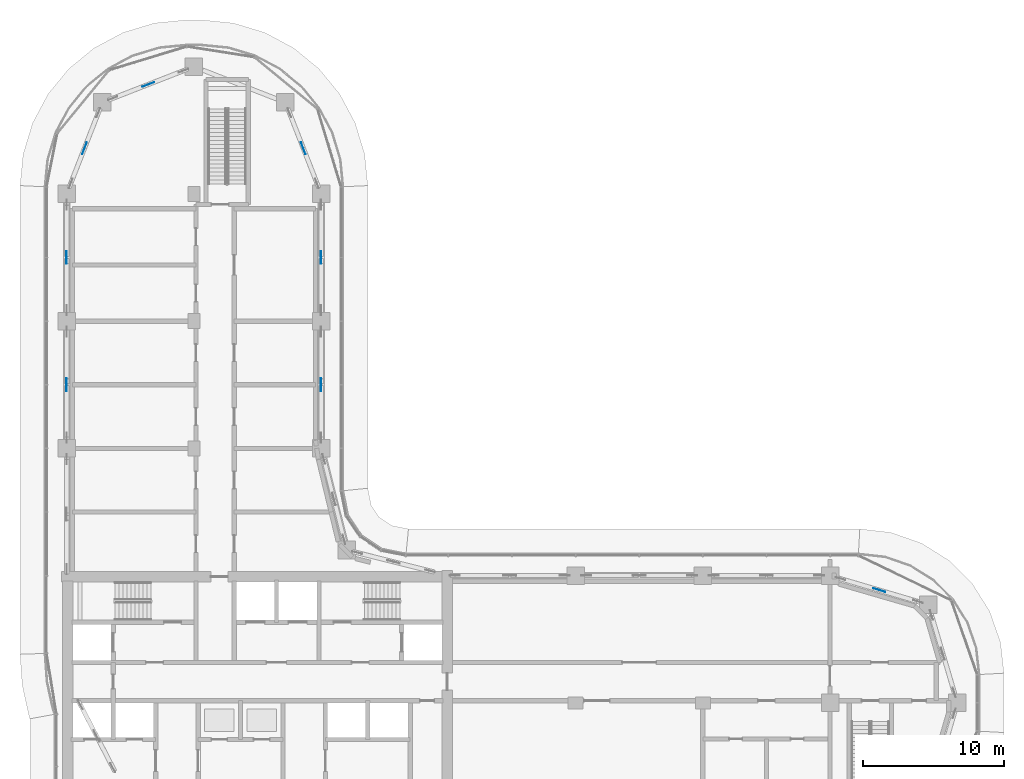
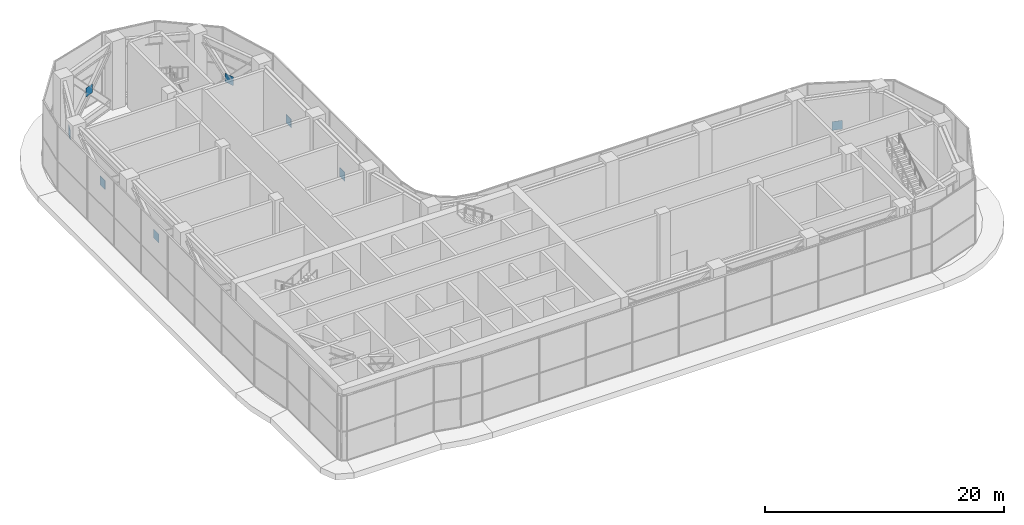
# One storey, part 21 of 35: 8 discrete accessories.
"""IFC4 building model written with IfcOpenShell, lengths in metres."""

from ifc_helpers import new_model, si_unit, direction, frame, origin, origin_2d, place, context, subcontext, project, spatial, rectangle, extrude, material, layer, layer_set, type_object, element, save


model = new_model("IFC4")

# Units and contexts
model_context = context("Model", 3, precision=1e-05, world=origin(), true_north=direction((0.0, 1.0)))
body_context = subcontext(model_context, "Body", "Model", "MODEL_VIEW")
ifc_project = project(units=[si_unit("LENGTHUNIT", "METRE"), si_unit("AREAUNIT", "SQUARE_METRE"), si_unit("VOLUMEUNIT", "CUBIC_METRE"), si_unit("PLANEANGLEUNIT", "RADIAN"), si_unit("MASSUNIT", "GRAM", prefix="KILO")], contexts=[model_context])

# Site, building, storey
site_placement = place(None, origin())
site = spatial("IfcSite", under=ifc_project, at=site_placement, CompositionType="ELEMENT")
building_placement = place(site_placement, origin())
building = spatial("IfcBuilding", under=site, at=building_placement, Name="Ogive Portal Towers", CompositionType="ELEMENT")
storey_placement = place(building_placement, frame((0.0, 0.0, 135.199951171875)))
storey = spatial("IfcBuildingStorey", under=building, at=storey_placement, Name="L33", CompositionType="ELEMENT", Elevation=135.199951171875)

# Discrete accessories
ifc_material = material(Name="Steel S355", Category="steel")
ifc_layer = layer(ifc_material, 0.02490234375)
ifc_layer_set = layer_set([ifc_layer], Name="GUSSET PLATE 900x900x25")
discrete_accessory_type = type_object("IfcDiscreteAccessoryType", Name="GUSSET PLATE 900x900x25", PredefinedType="BRACKET", material=ifc_layer_set)
for number, where, z_axis, x_axis, name in (
    (1, (88.97509765625, 38.47509765625, 2.900146484375), (0.0, 0.0, 1.0), (-0.959146260851, 0.28291067547, 0.0), "Gusset plate"),
    (2, (49.5, 53.0, 2.900146484375), (0.0, 0.0, 1.0), (0.0, 1.0, 0.0), "Gusset plate"),
    (3, (49.5, 62.0, 2.900146484375), (0.0, 0.0, 1.0), (0.0, 1.0, 0.0), "Gusset plate"),
    (4, (48.236572265625, 69.736572265625, 2.900146484375), (0.0, 0.0, 1.0), (-0.363657722869, 0.931532640651, 0.0), "Gusset plate"),
    (5, (37.263427734375, 74.236572265625, 2.900146484375), (0.0, 0.0, 1.0), (-0.931532640651, -0.363657722869, 0.0), "Gusset plate"),
    (6, (32.763427734375, 69.736572265625, 2.900146484375), (0.0, 0.0, 1.0), (-0.363657722869, -0.931532640651, 0.0), "Gusset plate"),
    (7, (31.5, 62.0, 2.900146484375), (0.0, 0.0, 1.0), (0.0, -1.0, 0.0), "Gusset plate"),
    (8, (31.5, 53.0, 2.900146484375), (0.0, 0.0, 1.0), (0.0, -1.0, 0.0), "Gusset plate"),
):
    element("IfcDiscreteAccessory", number, at=place(storey_placement, frame(where, z_axis=z_axis, x_axis=x_axis)), inside=storey, type_object=discrete_accessory_type, Name=name, PredefinedType="BRACKET", context=body_context, shape_type="SweptSolid", body=[
        extrude(rectangle(XDim=0.89990234375, YDim=0.02490234375, at=origin_2d()), origin(), (0.0, 0.0, 1.0), 0.89990234375),
    ])

save(model, "model.ifc")
